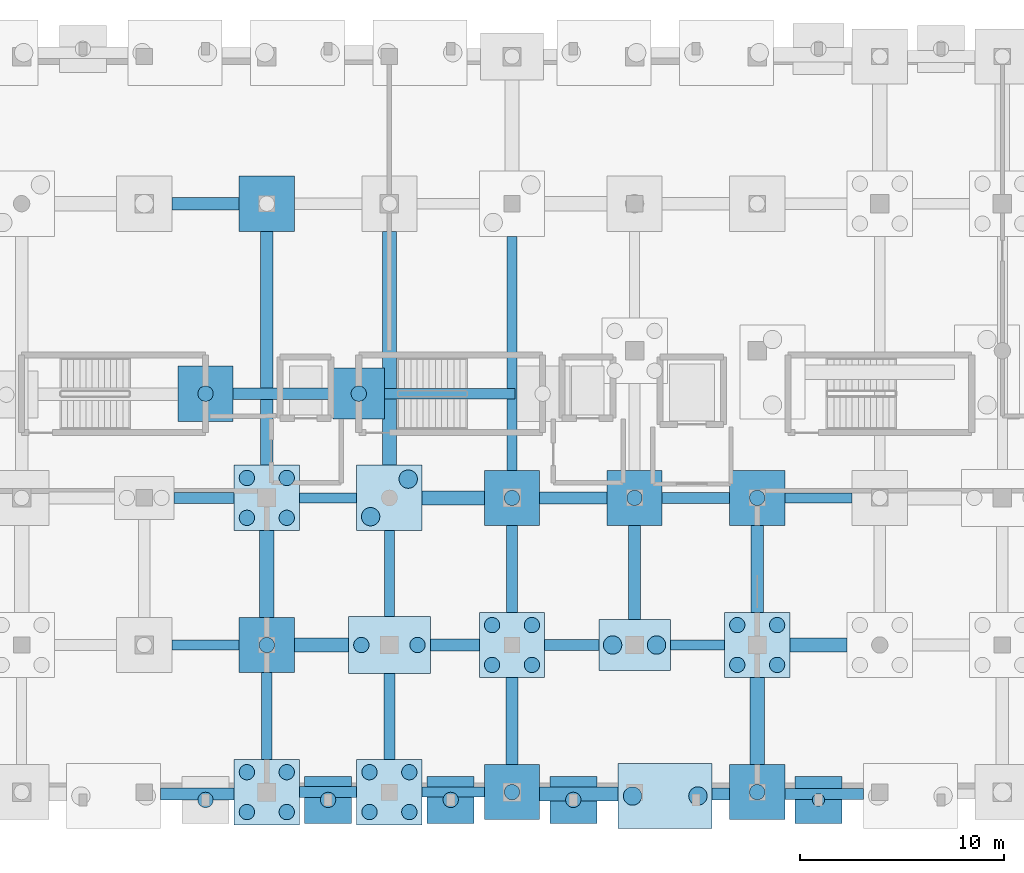
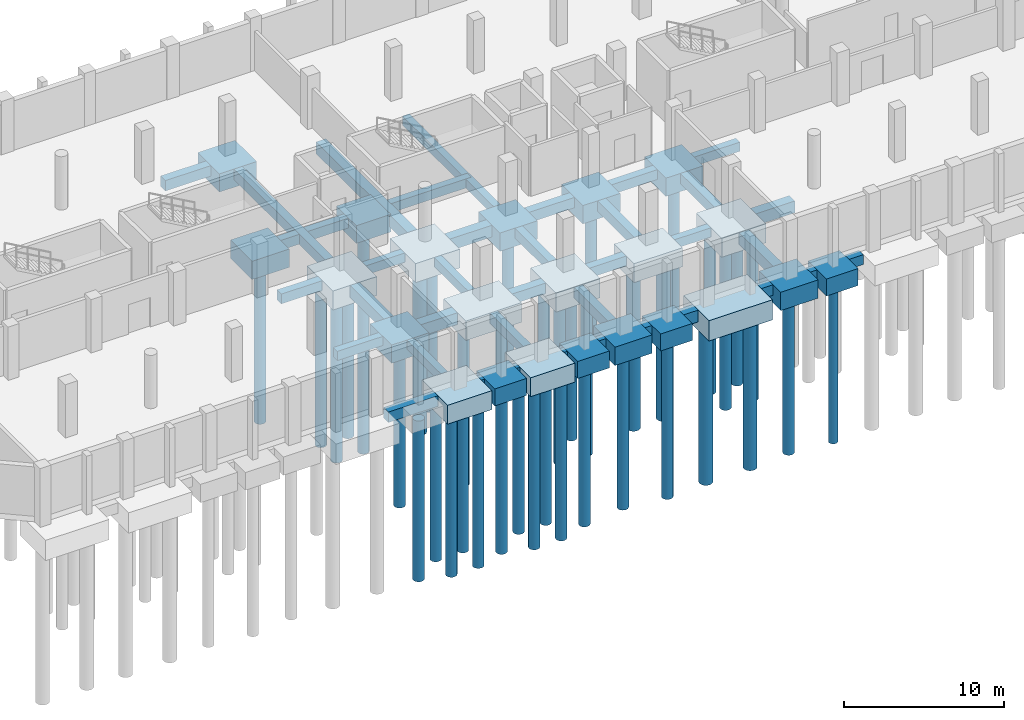
# One storey, part 2 of 11: 55 footings, 41 piles.
"""IFC4 building model written with IfcOpenShell, lengths in metres."""

from ifc_helpers import new_model, si_unit, direction, frame, origin, origin_2d, place, context, subcontext, project, spatial, rectangle, circle, extrude, material, material_profile, profile_set, type_object, element, save


model = new_model("IFC4")

# Units and contexts
model_context = context("Model", 3, precision=1e-05, world=origin(), true_north=direction((0.0, 1.0)))
body_context = subcontext(model_context, "Body", "Model", "MODEL_VIEW")
ifc_project = project(units=[si_unit("LENGTHUNIT", "METRE"), si_unit("AREAUNIT", "SQUARE_METRE"), si_unit("VOLUMEUNIT", "CUBIC_METRE"), si_unit("PLANEANGLEUNIT", "RADIAN"), si_unit("MASSUNIT", "GRAM", prefix="KILO")], contexts=[model_context])

# Site, building, storey
site_placement = place(None, origin())
site = spatial("IfcSite", under=ifc_project, at=site_placement, CompositionType="ELEMENT")
building_placement = place(site_placement, origin())
building = spatial("IfcBuilding", under=site, at=building_placement, Name="Dunvalen Ferry Terminal", CompositionType="ELEMENT")
storey_placement = place(building_placement, frame((0.0, 0.0, -4.080078125)))
storey = spatial("IfcBuildingStorey", under=building, at=storey_placement, Name="B1", CompositionType="ELEMENT", Elevation=-4.080078125)

# Footings
ifc_material = material(Name="Concrete C40/50", Category="concrete")
ifc_material_profile_1 = material_profile(ifc_material, rectangle(XDim=0.5, YDim=0.699951171875, at=origin_2d()), Name="Concrete C40/50")
ifc_profile_set_1 = profile_set([ifc_material_profile_1], Name="Concrete C40/50")
footing_type_1 = type_object("IfcFootingType", Name="STR-GB-500x700", PredefinedType="FOOTING_BEAM", material=ifc_profile_set_1)
footing_1_placement = place(storey_placement, frame((43.60009765625, 0.0, -0.77001953125), z_axis=(1.0, 0.0, 0.0), x_axis=(0.0, 1.0, 0.0)))
element("IfcFooting", 1, at=footing_1_placement, inside=storey, type_object=footing_type_1, Name="B1 Ground Beam X-007", PredefinedType="FOOTING_BEAM", context=body_context, shape_type="SweptSolid", body=[
    extrude(rectangle(XDim=0.5, YDim=0.699951171875, at=origin_2d()), origin(), (0.0, 0.0, 1.0), 3.0498046875),
])
footing_2_placement = place(storey_placement, frame((31.35009765625, 7.199951171875, -0.77001953125), z_axis=(1.0, 0.0, 0.0), x_axis=(0.0, 1.0, 0.0)))
element("IfcFooting", 2, at=footing_2_placement, inside=storey, type_object=footing_type_1, Name="B1 Ground Beam X-019", PredefinedType="FOOTING_BEAM", context=body_context, shape_type="SweptSolid", body=[
    extrude(rectangle(XDim=0.5, YDim=0.699951171875, at=origin_2d()), origin(), (0.0, 0.0, 1.0), 3.2998046875),
])
footing_3_placement = place(storey_placement, frame((55.75, 7.199951171875, -0.77001953125), z_axis=(1.0, 0.0, 0.0), x_axis=(0.0, 1.0, 0.0)))
element("IfcFooting", 3, at=footing_3_placement, inside=storey, type_object=footing_type_1, Name="B1 Ground Beam X-023", PredefinedType="FOOTING_BEAM", context=body_context, shape_type="SweptSolid", body=[
    extrude(rectangle(XDim=0.5, YDim=0.699951171875, at=origin_2d()), origin(), (0.0, 0.0, 1.0), 2.64990234375),
])
footing_4_placement = place(storey_placement, frame((37.60009765625, 14.39990234375, -0.77001953125), z_axis=(1.0, 0.0, 0.0), x_axis=(0.0, 1.0, 0.0)))
element("IfcFooting", 4, at=footing_4_placement, inside=storey, type_object=footing_type_1, Name="B1 Ground Beam X-035", PredefinedType="FOOTING_BEAM", context=body_context, shape_type="SweptSolid", body=[
    extrude(rectangle(XDim=0.5, YDim=0.699951171875, at=origin_2d()), origin(), (0.0, 0.0, 1.0), 2.7998046875),
])
footing_5_placement = place(storey_placement, frame((61.35009765625, 14.39990234375, -0.77001953125), z_axis=(1.0, 0.0, 0.0), x_axis=(0.0, 1.0, 0.0)))
element("IfcFooting", 5, at=footing_5_placement, inside=storey, type_object=footing_type_1, Name="B1 Ground Beam X-039", PredefinedType="FOOTING_BEAM", context=body_context, shape_type="SweptSolid", body=[
    extrude(rectangle(XDim=0.5, YDim=0.699951171875, at=origin_2d()), origin(), (0.0, 0.0, 1.0), 3.2998046875),
])
footing_6_placement = place(storey_placement, frame((41.75, 19.5, -0.77001953125), z_axis=(1.0, 0.0, 0.0), x_axis=(0.0, 1.0, 0.0)))
element("IfcFooting", 6, at=footing_6_placement, inside=storey, type_object=footing_type_1, Name="B1 Ground Beam X-047", PredefinedType="FOOTING_BEAM", context=body_context, shape_type="SweptSolid", body=[
    extrude(rectangle(XDim=0.5, YDim=0.699951171875, at=origin_2d()), origin(), (0.0, 0.0, 1.0), 6.39990234375),
])
footing_7_placement = place(storey_placement, frame((36.0, 1.60009765625, -0.77001953125), z_axis=(0.0, 1.0, 0.0), x_axis=(-1.0, 0.0, 0.0)))
element("IfcFooting", 7, at=footing_7_placement, inside=storey, type_object=footing_type_1, Name="B1 Ground Beam Y-095", PredefinedType="FOOTING_BEAM", context=body_context, shape_type="SweptSolid", body=[
    extrude(rectangle(XDim=0.5, YDim=0.699951171875, at=origin_2d()), origin(), (0.0, 0.0, 1.0), 4.25),
])
footing_8_placement = place(storey_placement, frame((42.0, 8.60009765625, -0.77001953125), z_axis=(0.0, 1.0, 0.0), x_axis=(-1.0, 0.0, 0.0)))
element("IfcFooting", 8, at=footing_8_placement, inside=storey, type_object=footing_type_1, Name="B1 Ground Beam Y-099", PredefinedType="FOOTING_BEAM", context=body_context, shape_type="SweptSolid", body=[
    extrude(rectangle(XDim=0.5, YDim=0.699951171875, at=origin_2d()), origin(), (0.0, 0.0, 1.0), 4.199951171875),
])
footing_9_placement = place(storey_placement, frame((48.0, 15.75, -0.77001953125), z_axis=(0.0, 1.0, 0.0), x_axis=(-1.0, 0.0, 0.0)))
element("IfcFooting", 9, at=footing_9_placement, inside=storey, type_object=footing_type_1, Name="B1 Ground Beam Y-103", PredefinedType="FOOTING_BEAM", context=body_context, shape_type="SweptSolid", body=[
    extrude(rectangle(XDim=0.5, YDim=0.699951171875, at=origin_2d()), origin(), (0.0, 0.0, 1.0), 11.449951171875),
])
ifc_material_profile_2 = material_profile(ifc_material, rectangle(XDim=0.550048828125, YDim=0.75, at=origin_2d()), Name="Concrete C40/50")
ifc_profile_set_2 = profile_set([ifc_material_profile_2], Name="Concrete C40/50")
footing_type_2 = type_object("IfcFootingType", Name="STR-GB-550x750", PredefinedType="FOOTING_BEAM", material=ifc_profile_set_2)
footing_10_placement = place(storey_placement, frame((37.60009765625, 0.0, -0.794921875), z_axis=(1.0, 0.0, 0.0), x_axis=(0.0, 1.0, 0.0)))
element("IfcFooting", 10, at=footing_10_placement, inside=storey, type_object=footing_type_2, Name="B1 Ground Beam X-006", PredefinedType="FOOTING_BEAM", context=body_context, shape_type="SweptSolid", body=[
    extrude(rectangle(XDim=0.550048828125, YDim=0.75, at=origin_2d()), origin(), (0.0, 0.0, 1.0), 2.7998046875),
])
footing_11_placement = place(storey_placement, frame((61.35009765625, -0.094970703125, -0.794921875), z_axis=(1.0, 0.0, 0.0), x_axis=(0.0, 1.0, 0.0)))
element("IfcFooting", 11, at=footing_11_placement, inside=storey, type_object=footing_type_2, Name="B1 Ground Beam X-010", PredefinedType="FOOTING_BEAM", context=body_context, shape_type="SweptSolid", body=[
    extrude(rectangle(XDim=0.550048828125, YDim=0.75, at=origin_2d()), origin(), (0.0, 0.0, 1.0), 3.849853515625),
])
footing_12_placement = place(storey_placement, frame((49.60009765625, 7.199951171875, -0.794921875), z_axis=(1.0, 0.0, 0.0), x_axis=(0.0, 1.0, 0.0)))
element("IfcFooting", 12, at=footing_12_placement, inside=storey, type_object=footing_type_2, Name="B1 Ground Beam X-022", PredefinedType="FOOTING_BEAM", context=body_context, shape_type="SweptSolid", body=[
    extrude(rectangle(XDim=0.550048828125, YDim=0.75, at=origin_2d()), origin(), (0.0, 0.0, 1.0), 2.64990234375),
])
footing_13_placement = place(storey_placement, frame((31.449951171875, 14.39990234375, -0.794921875), z_axis=(1.0, 0.0, 0.0), x_axis=(0.0, 1.0, 0.0)))
element("IfcFooting", 13, at=footing_13_placement, inside=storey, type_object=footing_type_2, Name="B1 Ground Beam X-034", PredefinedType="FOOTING_BEAM", context=body_context, shape_type="SweptSolid", body=[
    extrude(rectangle(XDim=0.550048828125, YDim=0.75, at=origin_2d()), origin(), (0.0, 0.0, 1.0), 2.949951171875),
])
footing_14_placement = place(storey_placement, frame((55.35009765625, 14.39990234375, -0.794921875), z_axis=(1.0, 0.0, 0.0), x_axis=(0.0, 1.0, 0.0)))
element("IfcFooting", 14, at=footing_14_placement, inside=storey, type_object=footing_type_2, Name="B1 Ground Beam X-038", PredefinedType="FOOTING_BEAM", context=body_context, shape_type="SweptSolid", body=[
    extrude(rectangle(XDim=0.550048828125, YDim=0.75, at=origin_2d()), origin(), (0.0, 0.0, 1.0), 3.2998046875),
])
footing_15_placement = place(storey_placement, frame((34.35009765625, 19.5, -0.794921875), z_axis=(1.0, 0.0, 0.0), x_axis=(0.0, 1.0, 0.0)))
element("IfcFooting", 15, at=footing_15_placement, inside=storey, type_object=footing_type_2, Name="B1 Ground Beam X-046", PredefinedType="FOOTING_BEAM", context=body_context, shape_type="SweptSolid", body=[
    extrude(rectangle(XDim=0.550048828125, YDim=0.75, at=origin_2d()), origin(), (0.0, 0.0, 1.0), 4.89990234375),
])
footing_16_placement = place(storey_placement, frame((42.0, 1.60009765625, -0.794921875), z_axis=(0.0, 1.0, 0.0), x_axis=(-1.0, 0.0, 0.0)))
element("IfcFooting", 16, at=footing_16_placement, inside=storey, type_object=footing_type_2, Name="B1 Ground Beam Y-098", PredefinedType="FOOTING_BEAM", context=body_context, shape_type="SweptSolid", body=[
    extrude(rectangle(XDim=0.550048828125, YDim=0.75, at=origin_2d()), origin(), (0.0, 0.0, 1.0), 4.199951171875),
])
footing_17_placement = place(storey_placement, frame((48.0, 8.800048828125, -0.794921875), z_axis=(0.0, 1.0, 0.0), x_axis=(-1.0, 0.0, 0.0)))
element("IfcFooting", 17, at=footing_17_placement, inside=storey, type_object=footing_type_2, Name="B1 Ground Beam Y-102", PredefinedType="FOOTING_BEAM", context=body_context, shape_type="SweptSolid", body=[
    extrude(rectangle(XDim=0.550048828125, YDim=0.75, at=origin_2d()), origin(), (0.0, 0.0, 1.0), 4.25),
])
ifc_material_profile_3 = material_profile(ifc_material, rectangle(XDim=0.60009765625, YDim=0.800048828125, at=origin_2d()), Name="Concrete C40/50")
ifc_profile_set_3 = profile_set([ifc_material_profile_3], Name="Concrete C40/50")
footing_type_3 = type_object("IfcFootingType", Name="STR-GB-600x800", PredefinedType="FOOTING_BEAM", material=ifc_profile_set_3)
footing_18_placement = place(storey_placement, frame((30.800048828125, -0.094970703125, -0.81982421875), z_axis=(1.0, 0.0, 0.0), x_axis=(0.0, 1.0, 0.0)))
element("IfcFooting", 18, at=footing_18_placement, inside=storey, type_object=footing_type_3, Name="B1 Ground Beam X-005", PredefinedType="FOOTING_BEAM", context=body_context, shape_type="SweptSolid", body=[
    extrude(rectangle(XDim=0.60009765625, YDim=0.800048828125, at=origin_2d()), origin(), (0.0, 0.0, 1.0), 3.599853515625),
])
footing_19_placement = place(storey_placement, frame((57.800048828125, -0.094970703125, -0.81982421875), z_axis=(1.0, 0.0, 0.0), x_axis=(0.0, 1.0, 0.0)))
element("IfcFooting", 19, at=footing_19_placement, inside=storey, type_object=footing_type_3, Name="B1 Ground Beam X-009", PredefinedType="FOOTING_BEAM", context=body_context, shape_type="SweptSolid", body=[
    extrude(rectangle(XDim=0.60009765625, YDim=0.800048828125, at=origin_2d()), origin(), (0.0, 0.0, 1.0), 0.849853515625),
])
footing_20_placement = place(storey_placement, frame((44.0, 7.199951171875, -0.81982421875), z_axis=(1.0, 0.0, 0.0), x_axis=(0.0, 1.0, 0.0)))
element("IfcFooting", 20, at=footing_20_placement, inside=storey, type_object=footing_type_3, Name="B1 Ground Beam X-021", PredefinedType="FOOTING_BEAM", context=body_context, shape_type="SweptSolid", body=[
    extrude(rectangle(XDim=0.60009765625, YDim=0.800048828125, at=origin_2d()), origin(), (0.0, 0.0, 1.0), 2.39990234375),
])
for number, where, z_axis, x_axis, name in (
    (21, (49.35009765625, 14.39990234375, -0.81982421875), (1.0, 0.0, 0.0), (0.0, 1.0, 0.0), "B1 Ground Beam X-037"),
    (22, (31.35009765625, 28.800048828125, -0.81982421875), (1.0, 0.0, 0.0), (0.0, 1.0, 0.0), "B1 Ground Beam X-057"),
):
    element("IfcFooting", number, at=place(storey_placement, frame(where, z_axis=z_axis, x_axis=x_axis)), inside=storey, type_object=footing_type_3, Name=name, PredefinedType="FOOTING_BEAM", context=body_context, shape_type="SweptSolid", body=[
        extrude(rectangle(XDim=0.60009765625, YDim=0.800048828125, at=origin_2d()), origin(), (0.0, 0.0, 1.0), 3.2998046875),
    ])
footing_21_placement = place(storey_placement, frame((36.0, 16.0, -0.81982421875), z_axis=(0.0, 1.0, 0.0), x_axis=(-1.0, 0.0, 0.0)))
element("IfcFooting", 23, at=footing_21_placement, inside=storey, type_object=footing_type_3, Name="B1 Ground Beam Y-097", PredefinedType="FOOTING_BEAM", context=body_context, shape_type="SweptSolid", body=[
    extrude(rectangle(XDim=0.60009765625, YDim=0.800048828125, at=origin_2d()), origin(), (0.0, 0.0, 1.0), 11.449951171875),
])
footing_22_placement = place(storey_placement, frame((48.0, 1.35009765625, -0.81982421875), z_axis=(0.0, 1.0, 0.0), x_axis=(-1.0, 0.0, 0.0)))
element("IfcFooting", 24, at=footing_22_placement, inside=storey, type_object=footing_type_3, Name="B1 Ground Beam Y-101", PredefinedType="FOOTING_BEAM", context=body_context, shape_type="SweptSolid", body=[
    extrude(rectangle(XDim=0.60009765625, YDim=0.800048828125, at=origin_2d()), origin(), (0.0, 0.0, 1.0), 4.25),
])
footing_23_placement = place(storey_placement, frame((54.0, 8.449951171875, -0.81982421875), z_axis=(0.0, 1.0, 0.0), x_axis=(-1.0, 0.0, 0.0)))
element("IfcFooting", 25, at=footing_23_placement, inside=storey, type_object=footing_type_3, Name="B1 Ground Beam Y-105", PredefinedType="FOOTING_BEAM", context=body_context, shape_type="SweptSolid", body=[
    extrude(rectangle(XDim=0.60009765625, YDim=0.800048828125, at=origin_2d()), origin(), (0.0, 0.0, 1.0), 4.60009765625),
])
footing_24_placement = place(storey_placement, frame((60.0, 8.800048828125, -0.81982421875), z_axis=(0.0, 1.0, 0.0), x_axis=(-1.0, 0.0, 0.0)))
element("IfcFooting", 26, at=footing_24_placement, inside=storey, type_object=footing_type_3, Name="B1 Ground Beam Y-109", PredefinedType="FOOTING_BEAM", context=body_context, shape_type="SweptSolid", body=[
    extrude(rectangle(XDim=0.60009765625, YDim=0.800048828125, at=origin_2d()), origin(), (0.0, 0.0, 1.0), 4.25),
])
ifc_material_profile_4 = material_profile(ifc_material, rectangle(XDim=0.699951171875, YDim=0.89990234375, at=origin_2d()), Name="Concrete C40/50")
ifc_profile_set_4 = profile_set([ifc_material_profile_4], Name="Concrete C40/50")
footing_type_4 = type_object("IfcFootingType", Name="STR-GB-700x900", PredefinedType="FOOTING_BEAM", material=ifc_profile_set_4)
footing_25_placement = place(storey_placement, frame((49.35009765625, -0.094970703125, -0.869873046875), z_axis=(1.0, 0.0, 0.0), x_axis=(0.0, 1.0, 0.0)))
element("IfcFooting", 27, at=footing_25_placement, inside=storey, type_object=footing_type_4, Name="B1 Ground Beam X-008", PredefinedType="FOOTING_BEAM", context=body_context, shape_type="SweptSolid", body=[
    extrude(rectangle(XDim=0.699951171875, YDim=0.89990234375, at=origin_2d()), origin(), (0.0, 0.0, 1.0), 3.849853515625),
])
footing_26_placement = place(storey_placement, frame((37.35009765625, 7.199951171875, -0.869873046875), z_axis=(1.0, 0.0, 0.0), x_axis=(0.0, 1.0, 0.0)))
element("IfcFooting", 28, at=footing_26_placement, inside=storey, type_object=footing_type_4, Name="B1 Ground Beam X-020", PredefinedType="FOOTING_BEAM", context=body_context, shape_type="SweptSolid", body=[
    extrude(rectangle(XDim=0.699951171875, YDim=0.89990234375, at=origin_2d()), origin(), (0.0, 0.0, 1.0), 2.64990234375),
])
footing_27_placement = place(storey_placement, frame((61.60009765625, 7.199951171875, -0.869873046875), z_axis=(1.0, 0.0, 0.0), x_axis=(0.0, 1.0, 0.0)))
element("IfcFooting", 29, at=footing_27_placement, inside=storey, type_object=footing_type_4, Name="B1 Ground Beam X-024", PredefinedType="FOOTING_BEAM", context=body_context, shape_type="SweptSolid", body=[
    extrude(rectangle(XDim=0.699951171875, YDim=0.89990234375, at=origin_2d()), origin(), (0.0, 0.0, 1.0), 2.7998046875),
])
footing_28_placement = place(storey_placement, frame((43.60009765625, 14.39990234375, -0.869873046875), z_axis=(1.0, 0.0, 0.0), x_axis=(0.0, 1.0, 0.0)))
element("IfcFooting", 30, at=footing_28_placement, inside=storey, type_object=footing_type_4, Name="B1 Ground Beam X-036", PredefinedType="FOOTING_BEAM", context=body_context, shape_type="SweptSolid", body=[
    extrude(rectangle(XDim=0.699951171875, YDim=0.89990234375, at=origin_2d()), origin(), (0.0, 0.0, 1.0), 3.0498046875),
])
footing_29_placement = place(storey_placement, frame((36.0, 8.550048828125, -0.869873046875), z_axis=(0.0, 1.0, 0.0), x_axis=(-1.0, 0.0, 0.0)))
element("IfcFooting", 31, at=footing_29_placement, inside=storey, type_object=footing_type_4, Name="B1 Ground Beam Y-096", PredefinedType="FOOTING_BEAM", context=body_context, shape_type="SweptSolid", body=[
    extrude(rectangle(XDim=0.699951171875, YDim=0.89990234375, at=origin_2d()), origin(), (0.0, 0.0, 1.0), 4.25),
])
footing_30_placement = place(storey_placement, frame((42.0, 16.0, -0.869873046875), z_axis=(0.0, 1.0, 0.0), x_axis=(-1.0, 0.0, 0.0)))
element("IfcFooting", 32, at=footing_30_placement, inside=storey, type_object=footing_type_4, Name="B1 Ground Beam Y-100", PredefinedType="FOOTING_BEAM", context=body_context, shape_type="SweptSolid", body=[
    extrude(rectangle(XDim=0.699951171875, YDim=0.89990234375, at=origin_2d()), origin(), (0.0, 0.0, 1.0), 11.449951171875),
])
footing_31_placement = place(storey_placement, frame((60.0, 1.35009765625, -0.869873046875), z_axis=(0.0, 1.0, 0.0), x_axis=(-1.0, 0.0, 0.0)))
element("IfcFooting", 33, at=footing_31_placement, inside=storey, type_object=footing_type_4, Name="B1 Ground Beam Y-108", PredefinedType="FOOTING_BEAM", context=body_context, shape_type="SweptSolid", body=[
    extrude(rectangle(XDim=0.699951171875, YDim=0.89990234375, at=origin_2d()), origin(), (0.0, 0.0, 1.0), 4.25),
])
footing_type_5 = type_object("IfcFootingType", Name="STR-PC-04", PredefinedType="PILE_CAP", material=ifc_material)
for number, where, z_axis, x_axis, name in (
    (34, (39.0, -0.3798828125, -1.7197265625), (0.0, 0.0, 1.0), (1.0, 0.0, 0.0), "B1 Pile Cap 041"),
    (35, (45.0, -0.3798828125, -1.7197265625), (0.0, 0.0, 1.0), (1.0, 0.0, 0.0), "B1 Pile Cap 048"),
    (36, (51.0, -0.3798828125, -1.7197265625), (0.0, 0.0, 1.0), (1.0, 0.0, 0.0), "B1 Pile Cap 055"),
    (37, (63.0, -0.3798828125, -1.7197265625), (0.0, 0.0, 1.0), (1.0, 0.0, 0.0), "B1 Pile Cap 068"),
):
    element("IfcFooting", number, at=place(storey_placement, frame(where, z_axis=z_axis, x_axis=x_axis)), inside=storey, type_object=footing_type_5, Name=name, PredefinedType="PILE_CAP", context=body_context, shape_type="SweptSolid", body=[
        extrude(rectangle(XDim=2.300048828125, YDim=2.300048828125, at=origin_2d()), origin(), (0.0, 0.0, 1.0), 1.300048828125),
    ])
footing_type_6 = type_object("IfcFootingType", Name="STR-PC-05", PredefinedType="PILE_CAP", material=ifc_material)
footing_32_placement = place(storey_placement, frame((40.5, 19.5, -1.77001953125), z_axis=(0.0, 0.0, 1.0), x_axis=(1.0, 0.0, 0.0)))
element("IfcFooting", 38, at=footing_32_placement, inside=storey, type_object=footing_type_6, Name="B1 Pile Cap 042", PredefinedType="PILE_CAP", context=body_context, shape_type="SweptSolid", body=[
    extrude(rectangle(XDim=2.5, YDim=2.5, at=origin_2d()), origin(), (0.0, 0.0, 1.0), 1.35009765625),
])
footing_type_7 = type_object("IfcFootingType", Name="STR-PC-06", PredefinedType="PILE_CAP", material=ifc_material)
for number, where, z_axis, x_axis, name in (
    (39, (33.0, 19.5, -1.81982421875), (0.0, 0.0, 1.0), (1.0, 0.0, 0.0), "B1 Pile Cap 035"),
    (40, (36.0, 7.199951171875, -1.81982421875), (0.0, 0.0, 1.0), (1.0, 0.0, 0.0), "B1 Pile Cap 037"),
    (41, (36.0, 28.800048828125, -1.81982421875), (0.0, 0.0, 1.0), (1.0, 0.0, 0.0), "B1 Pile Cap 039"),
    (42, (48.0, 0.0, -1.81982421875), (0.0, 0.0, 1.0), (1.0, 0.0, 0.0), "B1 Pile Cap 049"),
    (43, (48.0, 14.39990234375, -1.81982421875), (0.0, 0.0, 1.0), (1.0, 0.0, 0.0), "B1 Pile Cap 051"),
    (44, (54.0, 14.39990234375, -1.81982421875), (0.0, 0.0, 1.0), (1.0, 0.0, 0.0), "B1 Pile Cap 059"),
    (45, (60.0, 0.0, -1.81982421875), (0.0, 0.0, 1.0), (1.0, 0.0, 0.0), "B1 Pile Cap 063"),
    (46, (60.0, 14.39990234375, -1.81982421875), (0.0, 0.0, 1.0), (1.0, 0.0, 0.0), "B1 Pile Cap 065"),
):
    element("IfcFooting", number, at=place(storey_placement, frame(where, z_axis=z_axis, x_axis=x_axis)), inside=storey, type_object=footing_type_7, Name=name, PredefinedType="PILE_CAP", context=body_context, shape_type="SweptSolid", body=[
        extrude(rectangle(XDim=2.699951171875, YDim=2.699951171875, at=origin_2d()), origin(), (0.0, 0.0, 1.0), 1.39990234375),
    ])
footing_type_8 = type_object("IfcFootingType", Name="STR-PC-09", PredefinedType="PILE_CAP", material=ifc_material)
for number, where, z_axis, x_axis, name in (
    (47, (36.0, 0.0, -1.8701171875), (0.0, 0.0, 1.0), (1.0, 0.0, 0.0), "B1 Pile Cap 036"),
    (48, (36.0, 14.39990234375, -1.8701171875), (0.0, 0.0, 1.0), (1.0, 0.0, 0.0), "B1 Pile Cap 038"),
    (49, (42.0, 0.0, -1.8701171875), (0.0, 0.0, 1.0), (1.0, 0.0, 0.0), "B1 Pile Cap 043"),
    (50, (42.0, 14.39990234375, -1.8701171875), (0.0, 0.0, 1.0), (1.0, 0.0, 0.0), "B1 Pile Cap 045"),
    (51, (48.0, 7.199951171875, -1.8701171875), (0.0, 0.0, 1.0), (1.0, 0.0, 0.0), "B1 Pile Cap 050"),
    (52, (60.0, 7.199951171875, -1.8701171875), (0.0, 0.0, 1.0), (1.0, 0.0, 0.0), "B1 Pile Cap 064"),
):
    element("IfcFooting", number, at=place(storey_placement, frame(where, z_axis=z_axis, x_axis=x_axis)), inside=storey, type_object=footing_type_8, Name=name, PredefinedType="PILE_CAP", context=body_context, shape_type="SweptSolid", body=[
        extrude(rectangle(XDim=3.199951171875, YDim=3.199951171875, at=origin_2d()), origin(), (0.0, 0.0, 1.0), 1.449951171875),
    ])
footing_type_9 = type_object("IfcFootingType", Name="STR-PC-10", PredefinedType="PILE_CAP", material=ifc_material)
footing_33_placement = place(storey_placement, frame((54.0, 7.199951171875, -1.8701171875), z_axis=(0.0, 0.0, 1.0), x_axis=(1.0, 0.0, 0.0)))
element("IfcFooting", 53, at=footing_33_placement, inside=storey, type_object=footing_type_9, Name="B1 Pile Cap 058", PredefinedType="PILE_CAP", context=body_context, shape_type="SweptSolid", body=[
    extrude(rectangle(XDim=3.5, YDim=2.5, at=origin_2d()), origin(), (0.0, 0.0, 1.0), 1.449951171875),
])
footing_type_10 = type_object("IfcFootingType", Name="STR-PC-12", PredefinedType="PILE_CAP", material=ifc_material)
footing_34_placement = place(storey_placement, frame((42.0, 7.199951171875, -1.919921875), z_axis=(0.0, 0.0, 1.0), x_axis=(1.0, 0.0, 0.0)))
element("IfcFooting", 54, at=footing_34_placement, inside=storey, type_object=footing_type_10, Name="B1 Pile Cap 044", PredefinedType="PILE_CAP", context=body_context, shape_type="SweptSolid", body=[
    extrude(rectangle(XDim=4.0, YDim=2.800048828125, at=origin_2d()), origin(), (0.0, 0.0, 1.0), 1.5),
])
footing_type_11 = type_object("IfcFootingType", Name="STR-PC-14", PredefinedType="PILE_CAP", material=ifc_material)
footing_35_placement = place(storey_placement, frame((55.5, -0.18994140625, -1.9697265625), z_axis=(0.0, 0.0, 1.0), x_axis=(1.0, 0.0, 0.0)))
element("IfcFooting", 55, at=footing_35_placement, inside=storey, type_object=footing_type_11, Name="B1 Pile Cap 057", PredefinedType="PILE_CAP", context=body_context, shape_type="SweptSolid", body=[
    extrude(rectangle(XDim=4.60009765625, YDim=3.199951171875, at=origin_2d()), origin(), (0.0, 0.0, 1.0), 1.550048828125),
])

# Piles
ifc_material_profile_5 = material_profile(ifc_material, circle(Radius=0.300048828125, at=origin_2d()), Name="Concrete C40/50")
ifc_profile_set_5 = profile_set([ifc_material_profile_5], Name="Concrete C40/50")
pile_type_1 = type_object("IfcPileType", Name="STR-PILE-P600", PredefinedType="BORED", material=ifc_profile_set_5)
pile_1_placement = place(storey_placement, frame((63.0, -0.3798828125, -1.619873046875), z_axis=(0.0, 0.0, -1.0), x_axis=(1.0, 0.0, 0.0)))
element("IfcPile", 56, at=pile_1_placement, inside=storey, type_object=pile_type_1, Name="B1 Bored Pile 068.1", PredefinedType="BORED", context=body_context, shape_type="SweptSolid", body=[
    extrude(circle(Radius=0.300048828125, at=origin_2d()), origin(), (0.0, 0.0, 1.0), 12.300048828125),
])
ifc_material_profile_6 = material_profile(ifc_material, circle(Radius=0.375, at=origin_2d()), Name="Concrete C40/50")
ifc_profile_set_6 = profile_set([ifc_material_profile_6], Name="Concrete C40/50")
pile_type_2 = type_object("IfcPileType", Name="STR-PILE-P750", PredefinedType="BORED", material=ifc_profile_set_6)
pile_2_placement = place(storey_placement, frame((33.0, -0.3798828125, -1.619873046875), z_axis=(0.0, 0.0, -1.0), x_axis=(1.0, 0.0, 0.0)))
element("IfcPile", 57, at=pile_2_placement, inside=storey, type_object=pile_type_2, Name="B1 Bored Pile 034.1", PredefinedType="BORED", context=body_context, shape_type="SweptSolid", body=[
    extrude(circle(Radius=0.375, at=origin_2d()), origin(), (0.0, 0.0, 1.0), 12.300048828125),
])
pile_3_placement = place(storey_placement, frame((33.0, 19.5, -1.719970703125), z_axis=(0.0, 0.0, -1.0), x_axis=(1.0, 0.0, 0.0)))
element("IfcPile", 58, at=pile_3_placement, inside=storey, type_object=pile_type_2, Name="B1 Bored Pile 035.1", PredefinedType="BORED", context=body_context, shape_type="SweptSolid", body=[
    extrude(circle(Radius=0.375, at=origin_2d()), origin(), (0.0, 0.0, 1.0), 12.199951171875),
])
for number, where, z_axis, x_axis, name in (
    (59, (35.02490234375, -0.97509765625, -1.77001953125), (0.0, 0.0, -1.0), (1.0, 0.0, 0.0), "B1 Bored Pile 036.1"),
    (60, (36.97509765625, -0.97509765625, -1.77001953125), (0.0, 0.0, -1.0), (1.0, 0.0, 0.0), "B1 Bored Pile 036.2"),
    (61, (35.02490234375, 0.97509765625, -1.77001953125), (0.0, 0.0, -1.0), (1.0, 0.0, 0.0), "B1 Bored Pile 036.3"),
    (62, (36.97509765625, 0.97509765625, -1.77001953125), (0.0, 0.0, -1.0), (1.0, 0.0, 0.0), "B1 Bored Pile 036.4"),
):
    element("IfcPile", number, at=place(storey_placement, frame(where, z_axis=z_axis, x_axis=x_axis)), inside=storey, type_object=pile_type_2, Name=name, PredefinedType="BORED", context=body_context, shape_type="SweptSolid", body=[
        extrude(circle(Radius=0.375, at=origin_2d()), origin(), (0.0, 0.0, 1.0), 12.14990234375),
    ])
pile_4_placement = place(storey_placement, frame((36.0, 7.199951171875, -1.719970703125), z_axis=(0.0, 0.0, -1.0), x_axis=(1.0, 0.0, 0.0)))
element("IfcPile", 63, at=pile_4_placement, inside=storey, type_object=pile_type_2, Name="B1 Bored Pile 037.1", PredefinedType="BORED", context=body_context, shape_type="SweptSolid", body=[
    extrude(circle(Radius=0.375, at=origin_2d()), origin(), (0.0, 0.0, 1.0), 12.199951171875),
])
for number, where, z_axis, x_axis, name in (
    (64, (35.02490234375, 13.425048828125, -1.77001953125), (0.0, 0.0, -1.0), (1.0, 0.0, 0.0), "B1 Bored Pile 038.1"),
    (65, (36.97509765625, 13.425048828125, -1.77001953125), (0.0, 0.0, -1.0), (1.0, 0.0, 0.0), "B1 Bored Pile 038.2"),
    (66, (35.02490234375, 15.375, -1.77001953125), (0.0, 0.0, -1.0), (1.0, 0.0, 0.0), "B1 Bored Pile 038.3"),
    (67, (36.97509765625, 15.375, -1.77001953125), (0.0, 0.0, -1.0), (1.0, 0.0, 0.0), "B1 Bored Pile 038.4"),
):
    element("IfcPile", number, at=place(storey_placement, frame(where, z_axis=z_axis, x_axis=x_axis)), inside=storey, type_object=pile_type_2, Name=name, PredefinedType="BORED", context=body_context, shape_type="SweptSolid", body=[
        extrude(circle(Radius=0.375, at=origin_2d()), origin(), (0.0, 0.0, 1.0), 12.14990234375),
    ])
pile_5_placement = place(storey_placement, frame((39.0, -0.3798828125, -1.619873046875), z_axis=(0.0, 0.0, -1.0), x_axis=(1.0, 0.0, 0.0)))
element("IfcPile", 68, at=pile_5_placement, inside=storey, type_object=pile_type_2, Name="B1 Bored Pile 041.1", PredefinedType="BORED", context=body_context, shape_type="SweptSolid", body=[
    extrude(circle(Radius=0.375, at=origin_2d()), origin(), (0.0, 0.0, 1.0), 12.300048828125),
])
pile_6_placement = place(storey_placement, frame((40.5, 19.5, -1.669921875), z_axis=(0.0, 0.0, -1.0), x_axis=(1.0, 0.0, 0.0)))
element("IfcPile", 69, at=pile_6_placement, inside=storey, type_object=pile_type_2, Name="B1 Bored Pile 042.1", PredefinedType="BORED", context=body_context, shape_type="SweptSolid", body=[
    extrude(circle(Radius=0.375, at=origin_2d()), origin(), (0.0, 0.0, 1.0), 12.25),
])
for number, where, z_axis, x_axis, name in (
    (70, (41.02490234375, -0.97509765625, -1.77001953125), (0.0, 0.0, -1.0), (1.0, 0.0, 0.0), "B1 Bored Pile 043.1"),
    (71, (42.97509765625, -0.97509765625, -1.77001953125), (0.0, 0.0, -1.0), (1.0, 0.0, 0.0), "B1 Bored Pile 043.2"),
    (72, (41.02490234375, 0.97509765625, -1.77001953125), (0.0, 0.0, -1.0), (1.0, 0.0, 0.0), "B1 Bored Pile 043.3"),
    (73, (42.97509765625, 0.97509765625, -1.77001953125), (0.0, 0.0, -1.0), (1.0, 0.0, 0.0), "B1 Bored Pile 043.4"),
):
    element("IfcPile", number, at=place(storey_placement, frame(where, z_axis=z_axis, x_axis=x_axis)), inside=storey, type_object=pile_type_2, Name=name, PredefinedType="BORED", context=body_context, shape_type="SweptSolid", body=[
        extrude(circle(Radius=0.375, at=origin_2d()), origin(), (0.0, 0.0, 1.0), 12.14990234375),
    ])
for number, where, z_axis, x_axis, name in (
    (74, (40.625, 7.199951171875, -1.81982421875), (0.0, 0.0, -1.0), (1.0, 0.0, 0.0), "B1 Bored Pile 044.1"),
    (75, (43.375, 7.199951171875, -1.81982421875), (0.0, 0.0, -1.0), (1.0, 0.0, 0.0), "B1 Bored Pile 044.2"),
):
    element("IfcPile", number, at=place(storey_placement, frame(where, z_axis=z_axis, x_axis=x_axis)), inside=storey, type_object=pile_type_2, Name=name, PredefinedType="BORED", context=body_context, shape_type="SweptSolid", body=[
        extrude(circle(Radius=0.375, at=origin_2d()), origin(), (0.0, 0.0, 1.0), 12.10009765625),
    ])
pile_7_placement = place(storey_placement, frame((45.0, -0.3798828125, -1.619873046875), z_axis=(0.0, 0.0, -1.0), x_axis=(1.0, 0.0, 0.0)))
element("IfcPile", 76, at=pile_7_placement, inside=storey, type_object=pile_type_2, Name="B1 Bored Pile 048.1", PredefinedType="BORED", context=body_context, shape_type="SweptSolid", body=[
    extrude(circle(Radius=0.375, at=origin_2d()), origin(), (0.0, 0.0, 1.0), 12.300048828125),
])
pile_8_placement = place(storey_placement, frame((48.0, 0.0, -1.719970703125), z_axis=(0.0, 0.0, -1.0), x_axis=(1.0, 0.0, 0.0)))
element("IfcPile", 77, at=pile_8_placement, inside=storey, type_object=pile_type_2, Name="B1 Bored Pile 049.1", PredefinedType="BORED", context=body_context, shape_type="SweptSolid", body=[
    extrude(circle(Radius=0.375, at=origin_2d()), origin(), (0.0, 0.0, 1.0), 12.199951171875),
])
for number, where, z_axis, x_axis, name in (
    (78, (47.02490234375, 6.22509765625, -1.77001953125), (0.0, 0.0, -1.0), (1.0, 0.0, 0.0), "B1 Bored Pile 050.1"),
    (79, (48.97509765625, 6.22509765625, -1.77001953125), (0.0, 0.0, -1.0), (1.0, 0.0, 0.0), "B1 Bored Pile 050.2"),
    (80, (47.02490234375, 8.175048828125, -1.77001953125), (0.0, 0.0, -1.0), (1.0, 0.0, 0.0), "B1 Bored Pile 050.3"),
    (81, (48.97509765625, 8.175048828125, -1.77001953125), (0.0, 0.0, -1.0), (1.0, 0.0, 0.0), "B1 Bored Pile 050.4"),
):
    element("IfcPile", number, at=place(storey_placement, frame(where, z_axis=z_axis, x_axis=x_axis)), inside=storey, type_object=pile_type_2, Name=name, PredefinedType="BORED", context=body_context, shape_type="SweptSolid", body=[
        extrude(circle(Radius=0.375, at=origin_2d()), origin(), (0.0, 0.0, 1.0), 12.14990234375),
    ])
pile_9_placement = place(storey_placement, frame((48.0, 14.39990234375, -1.719970703125), z_axis=(0.0, 0.0, -1.0), x_axis=(1.0, 0.0, 0.0)))
element("IfcPile", 82, at=pile_9_placement, inside=storey, type_object=pile_type_2, Name="B1 Bored Pile 051.1", PredefinedType="BORED", context=body_context, shape_type="SweptSolid", body=[
    extrude(circle(Radius=0.375, at=origin_2d()), origin(), (0.0, 0.0, 1.0), 12.199951171875),
])
pile_10_placement = place(storey_placement, frame((51.0, -0.3798828125, -1.619873046875), z_axis=(0.0, 0.0, -1.0), x_axis=(1.0, 0.0, 0.0)))
element("IfcPile", 83, at=pile_10_placement, inside=storey, type_object=pile_type_2, Name="B1 Bored Pile 055.1", PredefinedType="BORED", context=body_context, shape_type="SweptSolid", body=[
    extrude(circle(Radius=0.375, at=origin_2d()), origin(), (0.0, 0.0, 1.0), 12.300048828125),
])
for number, where, z_axis, x_axis, name in (
    (84, (54.0, 14.39990234375, -1.719970703125), (0.0, 0.0, -1.0), (1.0, 0.0, 0.0), "B1 Bored Pile 059.1"),
    (85, (60.0, 0.0, -1.719970703125), (0.0, 0.0, -1.0), (1.0, 0.0, 0.0), "B1 Bored Pile 063.1"),
):
    element("IfcPile", number, at=place(storey_placement, frame(where, z_axis=z_axis, x_axis=x_axis)), inside=storey, type_object=pile_type_2, Name=name, PredefinedType="BORED", context=body_context, shape_type="SweptSolid", body=[
        extrude(circle(Radius=0.375, at=origin_2d()), origin(), (0.0, 0.0, 1.0), 12.199951171875),
    ])
for number, where, z_axis, x_axis, name in (
    (86, (59.02490234375, 6.22509765625, -1.77001953125), (0.0, 0.0, -1.0), (1.0, 0.0, 0.0), "B1 Bored Pile 064.1"),
    (87, (60.97509765625, 6.22509765625, -1.77001953125), (0.0, 0.0, -1.0), (1.0, 0.0, 0.0), "B1 Bored Pile 064.2"),
    (88, (59.02490234375, 8.175048828125, -1.77001953125), (0.0, 0.0, -1.0), (1.0, 0.0, 0.0), "B1 Bored Pile 064.3"),
    (89, (60.97509765625, 8.175048828125, -1.77001953125), (0.0, 0.0, -1.0), (1.0, 0.0, 0.0), "B1 Bored Pile 064.4"),
):
    element("IfcPile", number, at=place(storey_placement, frame(where, z_axis=z_axis, x_axis=x_axis)), inside=storey, type_object=pile_type_2, Name=name, PredefinedType="BORED", context=body_context, shape_type="SweptSolid", body=[
        extrude(circle(Radius=0.375, at=origin_2d()), origin(), (0.0, 0.0, 1.0), 12.14990234375),
    ])
pile_11_placement = place(storey_placement, frame((60.0, 14.39990234375, -1.719970703125), z_axis=(0.0, 0.0, -1.0), x_axis=(1.0, 0.0, 0.0)))
element("IfcPile", 90, at=pile_11_placement, inside=storey, type_object=pile_type_2, Name="B1 Bored Pile 065.1", PredefinedType="BORED", context=body_context, shape_type="SweptSolid", body=[
    extrude(circle(Radius=0.375, at=origin_2d()), origin(), (0.0, 0.0, 1.0), 12.199951171875),
])
ifc_material_profile_7 = material_profile(ifc_material, circle(Radius=0.449951171875, at=origin_2d()), Name="Concrete C40/50")
ifc_profile_set_7 = profile_set([ifc_material_profile_7], Name="Concrete C40/50")
pile_type_3 = type_object("IfcPileType", Name="STR-PILE-P900", PredefinedType="BORED", material=ifc_profile_set_7)
for number, where, z_axis, x_axis, name in (
    (91, (41.080078125, 13.47998046875, -1.77001953125), (0.0, 0.0, -1.0), (1.0, 0.0, 0.0), "B1 Bored Pile 045.1"),
    (92, (42.919921875, 15.320068359375, -1.77001953125), (0.0, 0.0, -1.0), (1.0, 0.0, 0.0), "B1 Bored Pile 045.2"),
):
    element("IfcPile", number, at=place(storey_placement, frame(where, z_axis=z_axis, x_axis=x_axis)), inside=storey, type_object=pile_type_3, Name=name, PredefinedType="BORED", context=body_context, shape_type="SweptSolid", body=[
        extrude(circle(Radius=0.449951171875, at=origin_2d()), origin(), (0.0, 0.0, 1.0), 12.14990234375),
    ])
for number, where, z_axis, x_axis, name in (
    (93, (53.89990234375, -0.18994140625, -1.869873046875), (0.0, 0.0, -1.0), (1.0, 0.0, 0.0), "B1 Bored Pile 057.1"),
    (94, (57.10009765625, -0.18994140625, -1.869873046875), (0.0, 0.0, -1.0), (1.0, 0.0, 0.0), "B1 Bored Pile 057.2"),
):
    element("IfcPile", number, at=place(storey_placement, frame(where, z_axis=z_axis, x_axis=x_axis)), inside=storey, type_object=pile_type_3, Name=name, PredefinedType="BORED", context=body_context, shape_type="SweptSolid", body=[
        extrude(circle(Radius=0.449951171875, at=origin_2d()), origin(), (0.0, 0.0, 1.0), 12.050048828125),
    ])
for number, where, z_axis, x_axis, name in (
    (95, (52.925048828125, 7.199951171875, -1.77001953125), (0.0, 0.0, -1.0), (1.0, 0.0, 0.0), "B1 Bored Pile 058.1"),
    (96, (55.074951171875, 7.199951171875, -1.77001953125), (0.0, 0.0, -1.0), (1.0, 0.0, 0.0), "B1 Bored Pile 058.2"),
):
    element("IfcPile", number, at=place(storey_placement, frame(where, z_axis=z_axis, x_axis=x_axis)), inside=storey, type_object=pile_type_3, Name=name, PredefinedType="BORED", context=body_context, shape_type="SweptSolid", body=[
        extrude(circle(Radius=0.449951171875, at=origin_2d()), origin(), (0.0, 0.0, 1.0), 12.14990234375),
    ])

save(model, "model.ifc")
